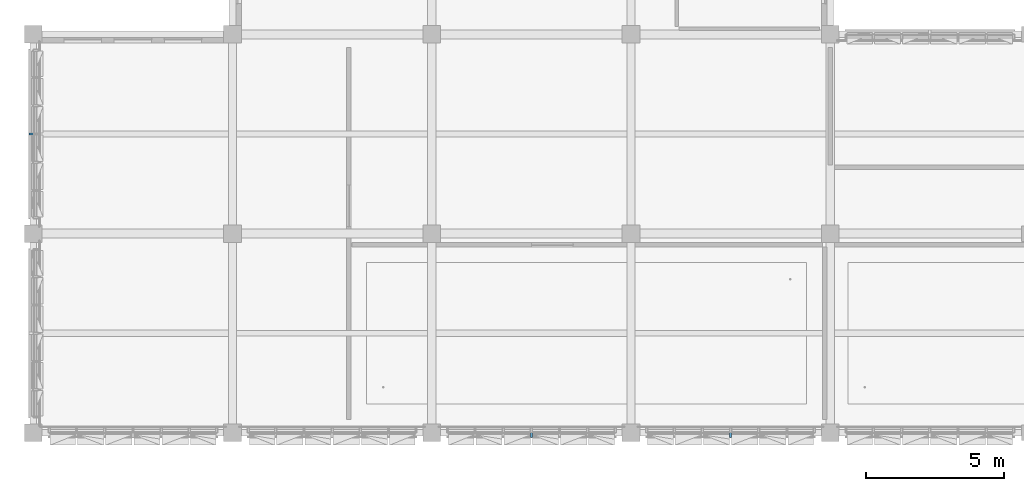
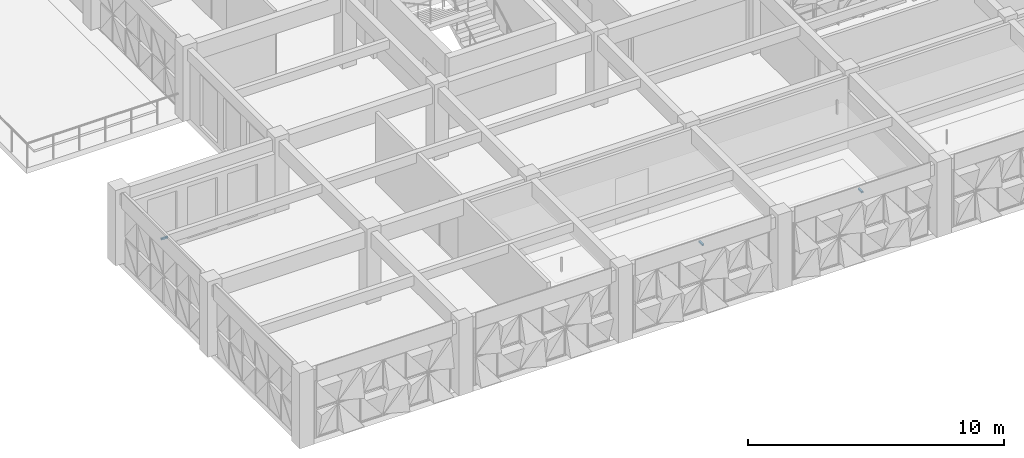
# One storey, part 56 of 85: 3 discrete accessories.
"""IFC4 building model written with IfcOpenShell, lengths in metres."""

from ifc_helpers import new_model, si_unit, direction, frame, origin, origin_2d, place, context, subcontext, project, spatial, rectangle, extrude, material, type_object, element, save


model = new_model("IFC4")

# Units and contexts
model_context = context("Model", 3, precision=1e-05, world=origin(), true_north=direction((0.0, 1.0)))
body_context = subcontext(model_context, "Body", "Model", "MODEL_VIEW")
ifc_project = project(units=[si_unit("LENGTHUNIT", "METRE"), si_unit("AREAUNIT", "SQUARE_METRE"), si_unit("VOLUMEUNIT", "CUBIC_METRE"), si_unit("PLANEANGLEUNIT", "RADIAN"), si_unit("MASSUNIT", "GRAM", prefix="KILO")], contexts=[model_context])

# Site, building, storey
site_placement = place(None, origin())
site = spatial("IfcSite", under=ifc_project, at=site_placement, CompositionType="ELEMENT")
building_placement = place(site_placement, origin())
building = spatial("IfcBuilding", under=site, at=building_placement, Name="Alvorim Cloister Faculty of Sciences", CompositionType="ELEMENT")
storey_placement = place(building_placement, frame((0.0, 0.0, 8.550048828125)))
storey = spatial("IfcBuildingStorey", under=building, at=storey_placement, Name="L02", CompositionType="ELEMENT", Elevation=8.550048828125)

# Discrete accessories
ifc_material = material(Name="Aluminium Alloy 6063-T6", Category="aluminium")
discrete_accessory_type = type_object("IfcDiscreteAccessoryType", Name="ACC-DIAG-BAR", PredefinedType="BRACKET", material=ifc_material)
for number, where, z_axis, x_axis, name in (
    (1, (25.199951171875, 0.139892578125, 3.224853515625), (0.0, -1.0, 0.0), (1.0, 0.0, 0.0), "Slab-Edge Fascia Tie Bracket ACC-00904"),
    (2, (18.0, 0.139892578125, 3.224853515625), (0.0, -1.0, 0.0), (1.0, 0.0, 0.0), "Slab-Edge Fascia Tie Bracket ACC-00917"),
    (3, (0.139892578125, 10.800048828125, 3.224853515625), (-1.0, 0.0, 0.0), (0.0, -1.0, 0.0), "Slab-Edge Fascia Tie Bracket ACC-00969"),
):
    element("IfcDiscreteAccessory", number, at=place(storey_placement, frame(where, z_axis=z_axis, x_axis=x_axis)), inside=storey, type_object=discrete_accessory_type, Name=name, PredefinedType="BRACKET", context=body_context, shape_type="SweptSolid", body=[
        extrude(rectangle(XDim=0.080078125, YDim=0.080078125, at=origin_2d()), origin(), (0.0, 0.0, 1.0), 0.2998046875),
    ])

save(model, "model.ifc")
